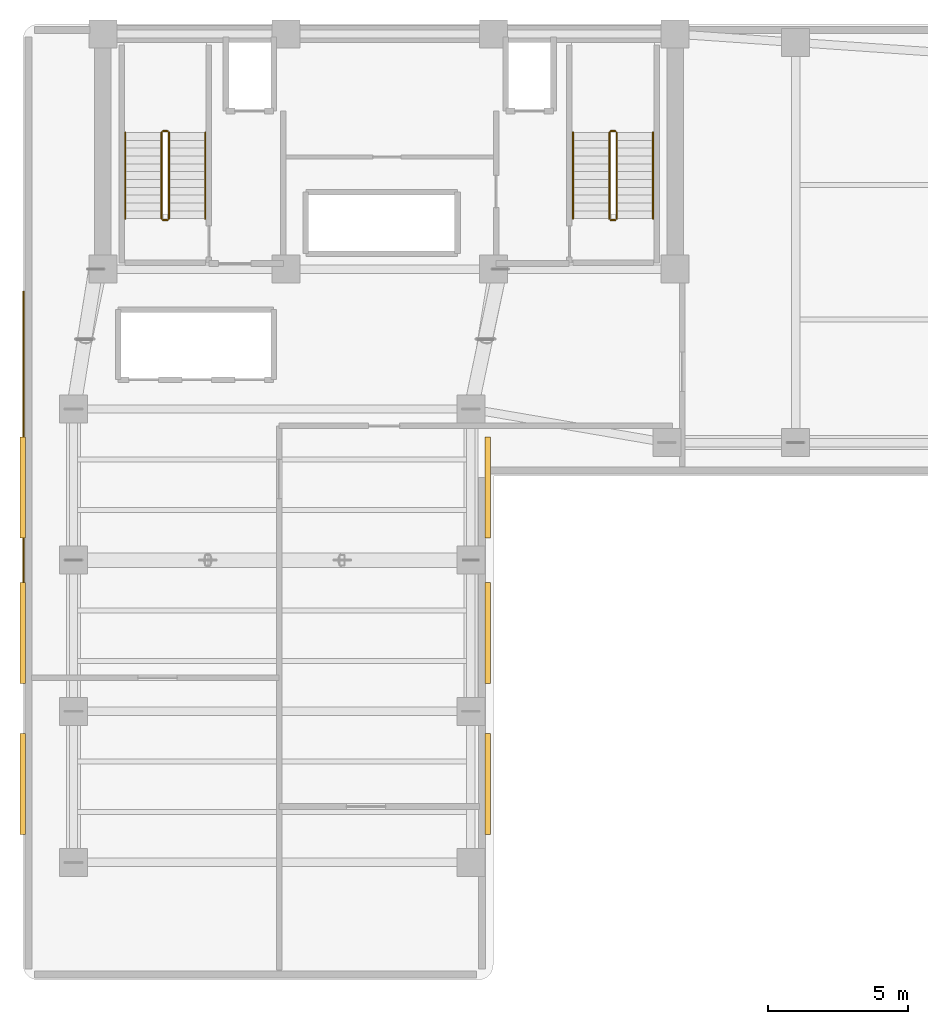
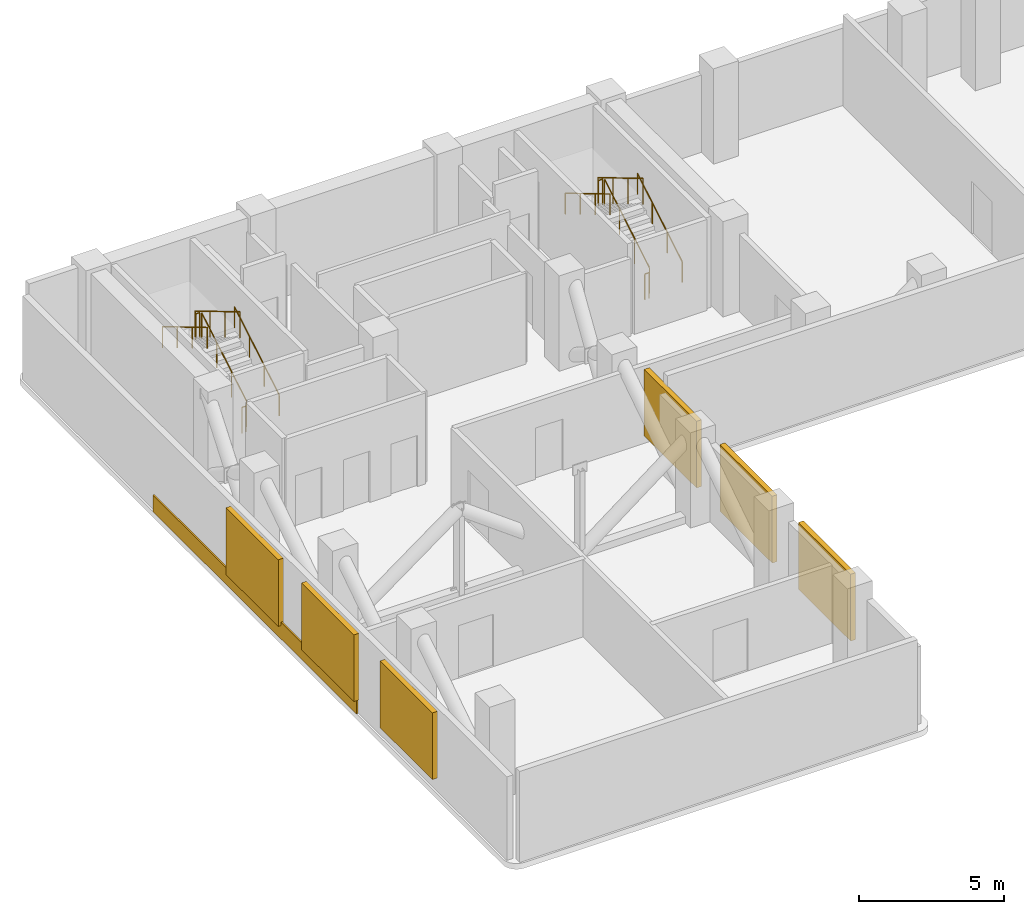
# One storey, part 6 of 6: 12 railings, 6 shading devices, 1 covering.
"""IFC4 building model written with IfcOpenShell, lengths in metres."""

from ifc_helpers import new_model, si_unit, direction, frame, origin, origin_2d, place, context, subcontext, project, spatial, rectangle, circle, extrude, material, layer, layer_set, type_object, element, save


model = new_model("IFC4")

# Units and contexts
model_context = context("Model", 3, precision=1e-05, world=origin(), true_north=direction((0.0, 1.0)))
body_context = subcontext(model_context, "Body", "Model", "MODEL_VIEW")
ifc_project = project(units=[si_unit("LENGTHUNIT", "METRE"), si_unit("AREAUNIT", "SQUARE_METRE"), si_unit("VOLUMEUNIT", "CUBIC_METRE"), si_unit("PLANEANGLEUNIT", "RADIAN"), si_unit("MASSUNIT", "GRAM", prefix="KILO")], contexts=[model_context])

# Site, building, storey
site_placement = place(None, origin())
site = spatial("IfcSite", under=ifc_project, at=site_placement, CompositionType="ELEMENT")
building_placement = place(site_placement, origin())
building = spatial("IfcBuilding", under=site, at=building_placement, Name="Kuzgunbayir Cultural Tower", CompositionType="ELEMENT")
storey_placement = place(building_placement, frame((0.0, 0.0, 156.0)))
storey = spatial("IfcBuildingStorey", under=building, at=storey_placement, Name="L45", CompositionType="ELEMENT", Elevation=156.0)

# Covering
ifc_material_1 = material(Name="Anatolian Cream Limestone", Category="masonry")
ifc_layer_1 = layer(ifc_material_1, 0.06005859375)
ifc_layer_set_1 = layer_set([ifc_layer_1], Name="Anatolian Cream Limestone")
covering_type = type_object("IfcCoveringType", Name="COV-CLAD-LIMESTONE-6", PredefinedType="CLADDING", material=ifc_layer_set_1)
covering_placement = place(storey_placement, frame((3.6201171875, 26.0, 0.0), z_axis=(0.0, 0.0, 1.0), x_axis=(1.0, 0.0, 0.0)))
element("IfcCovering", 1, at=covering_placement, inside=storey, type_object=covering_type, Name="L45 Architectural Spandrel Cladding Band", PredefinedType="CLADDING", context=body_context, shape_type="SweptSolid", body=[
    extrude(rectangle(XDim=0.06005859375, YDim=14.0, at=origin_2d()), origin(), (0.0, 0.0, 1.0), 0.699951171875),
])

# Railings
ifc_material_2 = material(Name="Brushed Stainless Steel", Category="steel")
ifc_layer_2 = layer(ifc_material_2, 0.050048828125)
ifc_layer_set_2 = layer_set([ifc_layer_2], Name="Brushed Stainless Steel")
railing_type_1 = type_object("IfcRailingType", Name="RLG-STAIR-HANDRAIL", PredefinedType="HANDRAIL", material=ifc_layer_set_2)
railing_1_placement = place(storey_placement, frame((10.110107421875, 35.60009765625, 0.166748046875)))
element("IfcRailing", 2, at=railing_1_placement, inside=storey, type_object=railing_type_1, Name="L45 ST-1 stair handrail 1", PredefinedType="HANDRAIL", context=body_context, shape_type="SweptSolid", body=[
    extrude(circle(Radius=0.02392578125, at=origin_2d()), frame((0.0, 0.0, 0.8759765625), z_axis=(0.0, 0.859290745958, 0.51148745235), x_axis=(-1.0, 0.0, 0.0)), (0.0, 0.0, 1.0), 3.584228515625),
    extrude(circle(Radius=0.02099609375, at=origin_2d()), origin(), (0.0, 0.0, 1.0), 0.851806640625),
    extrude(circle(Radius=0.02099609375, at=origin_2d()), frame((0.0, 1.026611328125, 0.611083984375)), (0.0, 0.0, 1.0), 0.851806640625),
    extrude(circle(Radius=0.02099609375, at=origin_2d()), frame((0.0, 2.05322265625, 1.22216796875)), (0.0, 0.0, 1.0), 0.851806640625),
    extrude(circle(Radius=0.02099609375, at=origin_2d()), frame((0.0, 3.079833984375, 1.833251953125)), (0.0, 0.0, 1.0), 0.851806640625),
])
railing_2_placement = place(storey_placement, frame((7.25, 38.679931640625, 2.166748046875)))
element("IfcRailing", 3, at=railing_2_placement, inside=storey, type_object=railing_type_1, Name="L45 ST-1 stair handrail 2", PredefinedType="HANDRAIL", context=body_context, shape_type="SweptSolid", body=[
    extrude(circle(Radius=0.02392578125, at=origin_2d()), frame((0.0, 0.0, 0.8759765625), z_axis=(0.0, -0.859290745958, 0.51148745235), x_axis=(1.0, 0.0, 0.0)), (0.0, 0.0, 1.0), 3.584228515625),
    extrude(circle(Radius=0.02099609375, at=origin_2d()), origin(), (0.0, 0.0, 1.0), 0.851806640625),
    extrude(circle(Radius=0.02099609375, at=origin_2d()), frame((0.0, -1.026611328125, 0.611083984375)), (0.0, 0.0, 1.0), 0.851806640625),
    extrude(circle(Radius=0.02099609375, at=origin_2d()), frame((0.0, -2.05322265625, 1.22216796875)), (0.0, 0.0, 1.0), 0.851806640625),
    extrude(circle(Radius=0.02099609375, at=origin_2d()), frame((0.0, -3.079833984375, 1.833251953125)), (0.0, 0.0, 1.0), 0.851806640625),
])
railing_3_placement = place(storey_placement, frame((26.110107421875, 35.60009765625, 0.166748046875)))
element("IfcRailing", 4, at=railing_3_placement, inside=storey, type_object=railing_type_1, Name="L45 ST-2 stair handrail 1", PredefinedType="HANDRAIL", context=body_context, shape_type="SweptSolid", body=[
    extrude(circle(Radius=0.02392578125, at=origin_2d()), frame((0.0, 0.0, 0.8759765625), z_axis=(0.0, 0.859290745958, 0.51148745235), x_axis=(-1.0, 0.0, 0.0)), (0.0, 0.0, 1.0), 3.584228515625),
    extrude(circle(Radius=0.02099609375, at=origin_2d()), origin(), (0.0, 0.0, 1.0), 0.851806640625),
    extrude(circle(Radius=0.02099609375, at=origin_2d()), frame((0.0, 1.026611328125, 0.611083984375)), (0.0, 0.0, 1.0), 0.851806640625),
    extrude(circle(Radius=0.02099609375, at=origin_2d()), frame((0.0, 2.05322265625, 1.22216796875)), (0.0, 0.0, 1.0), 0.851806640625),
    extrude(circle(Radius=0.02099609375, at=origin_2d()), frame((0.0, 3.079833984375, 1.833251953125)), (0.0, 0.0, 1.0), 0.851806640625),
])
railing_4_placement = place(storey_placement, frame((23.25, 38.679931640625, 2.166748046875)))
element("IfcRailing", 5, at=railing_4_placement, inside=storey, type_object=railing_type_1, Name="L45 ST-2 stair handrail 2", PredefinedType="HANDRAIL", context=body_context, shape_type="SweptSolid", body=[
    extrude(circle(Radius=0.02392578125, at=origin_2d()), frame((0.0, 0.0, 0.8759765625), z_axis=(0.0, -0.859290745958, 0.51148745235), x_axis=(1.0, 0.0, 0.0)), (0.0, 0.0, 1.0), 3.584228515625),
    extrude(circle(Radius=0.02099609375, at=origin_2d()), origin(), (0.0, 0.0, 1.0), 0.851806640625),
    extrude(circle(Radius=0.02099609375, at=origin_2d()), frame((0.0, -1.026611328125, 0.611083984375)), (0.0, 0.0, 1.0), 0.851806640625),
    extrude(circle(Radius=0.02099609375, at=origin_2d()), frame((0.0, -2.05322265625, 1.22216796875)), (0.0, 0.0, 1.0), 0.851806640625),
    extrude(circle(Radius=0.02099609375, at=origin_2d()), frame((0.0, -3.079833984375, 1.833251953125)), (0.0, 0.0, 1.0), 0.851806640625),
])
ifc_material_3 = material(Name="Painted Steel Balustrade", Category="steel")
ifc_layer_3 = layer(ifc_material_3, 0.06005859375)
ifc_layer_set_3 = layer_set([ifc_layer_3], Name="Painted Steel Balustrade")
railing_type_2 = type_object("IfcRailingType", Name="RLG-WELL-GUARD", PredefinedType="GUARDRAIL", material=ifc_layer_set_3)
railing_5_placement = place(storey_placement, frame((8.81005859375, 35.60009765625, 0.166748046875)))
element("IfcRailing", 6, at=railing_5_placement, inside=storey, type_object=railing_type_2, Name="L45 ST-1 stair guard 1", PredefinedType="GUARDRAIL", context=body_context, shape_type="SweptSolid", body=[
    extrude(circle(Radius=0.02392578125, at=origin_2d()), frame((0.0, 0.0, 1.076171875), z_axis=(0.0, 0.859290745958, 0.51148745235), x_axis=(-1.0, 0.0, 0.0)), (0.0, 0.0, 1.0), 3.584228515625),
    extrude(circle(Radius=0.02099609375, at=origin_2d()), origin(), (0.0, 0.0, 1.0), 1.052001953125),
    extrude(circle(Radius=0.02099609375, at=origin_2d()), frame((0.0, 1.026611328125, 0.611083984375)), (0.0, 0.0, 1.0), 1.052001953125),
    extrude(circle(Radius=0.02099609375, at=origin_2d()), frame((0.0, 2.05322265625, 1.22216796875)), (0.0, 0.0, 1.0), 1.052001953125),
    extrude(circle(Radius=0.02099609375, at=origin_2d()), frame((0.0, 3.079833984375, 1.833251953125)), (0.0, 0.0, 1.0), 1.052001953125),
])
railing_6_placement = place(storey_placement, frame((8.760009765625, 38.72998046875, 2.0)))
element("IfcRailing", 7, at=railing_6_placement, inside=storey, type_object=railing_type_2, Name="L45 ST-1 stair guard 2", PredefinedType="GUARDRAIL", context=body_context, shape_type="SweptSolid", body=[
    extrude(circle(Radius=0.02392578125, at=origin_2d()), frame((0.0, 0.0, 1.076171875), z_axis=(-1.0, 0.0, 0.0), x_axis=(0.0, -1.0, 0.0)), (0.0, 0.0, 1.0), 0.159912109375),
    extrude(circle(Radius=0.02099609375, at=origin_2d()), origin(), (0.0, 0.0, 1.0), 1.052001953125),
    extrude(circle(Radius=0.02099609375, at=origin_2d()), frame((-0.159912109375, 0.0, 0.0)), (0.0, 0.0, 1.0), 1.052001953125),
])
railing_7_placement = place(storey_placement, frame((8.550048828125, 38.679931640625, 2.166748046875)))
element("IfcRailing", 8, at=railing_7_placement, inside=storey, type_object=railing_type_2, Name="L45 ST-1 stair guard 3", PredefinedType="GUARDRAIL", context=body_context, shape_type="SweptSolid", body=[
    extrude(circle(Radius=0.02392578125, at=origin_2d()), frame((0.0, 0.0, 1.076171875), z_axis=(0.0, -0.859290745958, 0.51148745235), x_axis=(1.0, 0.0, 0.0)), (0.0, 0.0, 1.0), 3.584228515625),
    extrude(circle(Radius=0.02099609375, at=origin_2d()), origin(), (0.0, 0.0, 1.0), 1.052001953125),
    extrude(circle(Radius=0.02099609375, at=origin_2d()), frame((0.0, -1.026611328125, 0.611083984375)), (0.0, 0.0, 1.0), 1.052001953125),
    extrude(circle(Radius=0.02099609375, at=origin_2d()), frame((0.0, -2.05322265625, 1.22216796875)), (0.0, 0.0, 1.0), 1.052001953125),
    extrude(circle(Radius=0.02099609375, at=origin_2d()), frame((0.0, -3.079833984375, 1.833251953125)), (0.0, 0.0, 1.0), 1.052001953125),
])
railing_8_placement = place(storey_placement, frame((8.760009765625, 35.550048828125, 0.0)))
element("IfcRailing", 9, at=railing_8_placement, inside=storey, type_object=railing_type_2, Name="L45 ST-1 stair guard 4", PredefinedType="GUARDRAIL", context=body_context, shape_type="SweptSolid", body=[
    extrude(circle(Radius=0.02392578125, at=origin_2d()), frame((0.0, 0.0, 1.076171875), z_axis=(-1.0, 0.0, 0.0), x_axis=(0.0, -1.0, 0.0)), (0.0, 0.0, 1.0), 0.159912109375),
    extrude(circle(Radius=0.02099609375, at=origin_2d()), origin(), (0.0, 0.0, 1.0), 1.052001953125),
    extrude(circle(Radius=0.02099609375, at=origin_2d()), frame((-0.159912109375, 0.0, 0.0)), (0.0, 0.0, 1.0), 1.052001953125),
])
railing_9_placement = place(storey_placement, frame((24.81005859375, 35.60009765625, 0.166748046875)))
element("IfcRailing", 10, at=railing_9_placement, inside=storey, type_object=railing_type_2, Name="L45 ST-2 stair guard 1", PredefinedType="GUARDRAIL", context=body_context, shape_type="SweptSolid", body=[
    extrude(circle(Radius=0.02392578125, at=origin_2d()), frame((0.0, 0.0, 1.076171875), z_axis=(0.0, 0.859290745958, 0.51148745235), x_axis=(-1.0, 0.0, 0.0)), (0.0, 0.0, 1.0), 3.584228515625),
    extrude(circle(Radius=0.02099609375, at=origin_2d()), origin(), (0.0, 0.0, 1.0), 1.052001953125),
    extrude(circle(Radius=0.02099609375, at=origin_2d()), frame((0.0, 1.026611328125, 0.611083984375)), (0.0, 0.0, 1.0), 1.052001953125),
    extrude(circle(Radius=0.02099609375, at=origin_2d()), frame((0.0, 2.05322265625, 1.22216796875)), (0.0, 0.0, 1.0), 1.052001953125),
    extrude(circle(Radius=0.02099609375, at=origin_2d()), frame((0.0, 3.079833984375, 1.833251953125)), (0.0, 0.0, 1.0), 1.052001953125),
])
railing_10_placement = place(storey_placement, frame((24.760009765625, 38.72998046875, 2.0)))
element("IfcRailing", 11, at=railing_10_placement, inside=storey, type_object=railing_type_2, Name="L45 ST-2 stair guard 2", PredefinedType="GUARDRAIL", context=body_context, shape_type="SweptSolid", body=[
    extrude(circle(Radius=0.02392578125, at=origin_2d()), frame((0.0, 0.0, 1.076171875), z_axis=(-1.0, 0.0, 0.0), x_axis=(0.0, -1.0, 0.0)), (0.0, 0.0, 1.0), 0.159912109375),
    extrude(circle(Radius=0.02099609375, at=origin_2d()), origin(), (0.0, 0.0, 1.0), 1.052001953125),
    extrude(circle(Radius=0.02099609375, at=origin_2d()), frame((-0.159912109375, 0.0, 0.0)), (0.0, 0.0, 1.0), 1.052001953125),
])
railing_11_placement = place(storey_placement, frame((24.550048828125, 38.679931640625, 2.166748046875)))
element("IfcRailing", 12, at=railing_11_placement, inside=storey, type_object=railing_type_2, Name="L45 ST-2 stair guard 3", PredefinedType="GUARDRAIL", context=body_context, shape_type="SweptSolid", body=[
    extrude(circle(Radius=0.02392578125, at=origin_2d()), frame((0.0, 0.0, 1.076171875), z_axis=(0.0, -0.859290745958, 0.51148745235), x_axis=(1.0, 0.0, 0.0)), (0.0, 0.0, 1.0), 3.584228515625),
    extrude(circle(Radius=0.02099609375, at=origin_2d()), origin(), (0.0, 0.0, 1.0), 1.052001953125),
    extrude(circle(Radius=0.02099609375, at=origin_2d()), frame((0.0, -1.026611328125, 0.611083984375)), (0.0, 0.0, 1.0), 1.052001953125),
    extrude(circle(Radius=0.02099609375, at=origin_2d()), frame((0.0, -2.05322265625, 1.22216796875)), (0.0, 0.0, 1.0), 1.052001953125),
    extrude(circle(Radius=0.02099609375, at=origin_2d()), frame((0.0, -3.079833984375, 1.833251953125)), (0.0, 0.0, 1.0), 1.052001953125),
])
railing_12_placement = place(storey_placement, frame((24.760009765625, 35.550048828125, 0.0)))
element("IfcRailing", 13, at=railing_12_placement, inside=storey, type_object=railing_type_2, Name="L45 ST-2 stair guard 4", PredefinedType="GUARDRAIL", context=body_context, shape_type="SweptSolid", body=[
    extrude(circle(Radius=0.02392578125, at=origin_2d()), frame((0.0, 0.0, 1.076171875), z_axis=(-1.0, 0.0, 0.0), x_axis=(0.0, -1.0, 0.0)), (0.0, 0.0, 1.0), 0.159912109375),
    extrude(circle(Radius=0.02099609375, at=origin_2d()), origin(), (0.0, 0.0, 1.0), 1.052001953125),
    extrude(circle(Radius=0.02099609375, at=origin_2d()), frame((-0.159912109375, 0.0, 0.0)), (0.0, 0.0, 1.0), 1.052001953125),
])

# Shading devices
ifc_material_4 = material(Name="Acoustic Stormproof Aluminium Louvre", Category="aluminium")
shading_device_type = type_object("IfcShadingDeviceType", Name="SHD-PLANT-LOUVRE", PredefinedType="USERDEFINED", material=ifc_material_4)
for number, where, z_axis, x_axis, name in (
    (14, (3.590087890625, 15.39990234375, 0.5498046875), (0.0, 0.0, 1.0), (1.0, 0.0, 0.0), "L45 Refuge Acoustic Louvre W1"),
    (15, (20.199951171875, 15.39990234375, 0.5498046875), (0.0, 0.0, 1.0), (1.0, 0.0, 0.0), "L45 Refuge Acoustic Louvre E1"),
    (16, (3.590087890625, 20.800048828125, 0.5498046875), (0.0, 0.0, 1.0), (1.0, 0.0, 0.0), "L45 Refuge Acoustic Louvre W2"),
    (17, (20.199951171875, 20.800048828125, 0.5498046875), (0.0, 0.0, 1.0), (1.0, 0.0, 0.0), "L45 Refuge Acoustic Louvre E2"),
    (18, (3.590087890625, 26.0, 0.5498046875), (0.0, 0.0, 1.0), (1.0, 0.0, 0.0), "L45 Refuge Acoustic Louvre W3"),
    (19, (20.199951171875, 26.0, 0.5498046875), (0.0, 0.0, 1.0), (1.0, 0.0, 0.0), "L45 Refuge Acoustic Louvre E3"),
):
    element("IfcShadingDevice", number, at=place(storey_placement, frame(where, z_axis=z_axis, x_axis=x_axis)), inside=storey, type_object=shading_device_type, Name=name, ObjectType="LOUVRE", PredefinedType="USERDEFINED", context=body_context, shape_type="SweptSolid", body=[
        extrude(rectangle(XDim=0.199951171875, YDim=3.60009765625, at=origin_2d()), origin(), (0.0, 0.0, 1.0), 2.800048828125),
    ])

save(model, "model.ifc")
